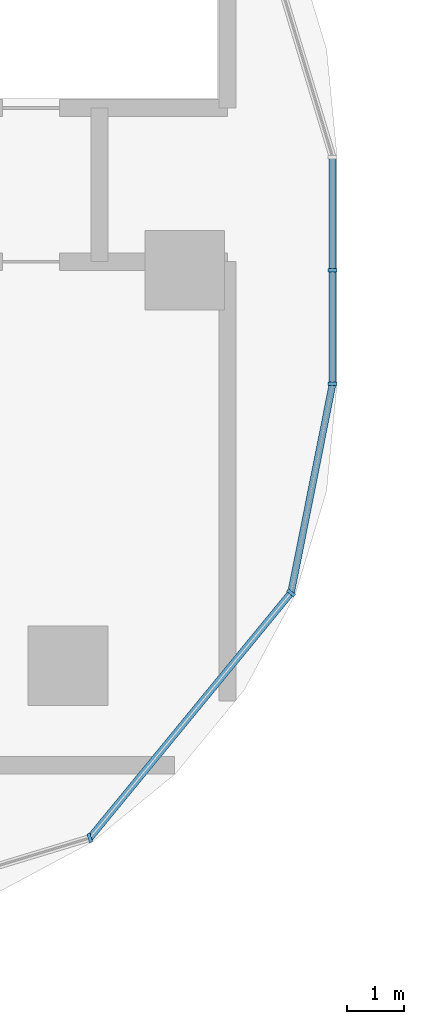
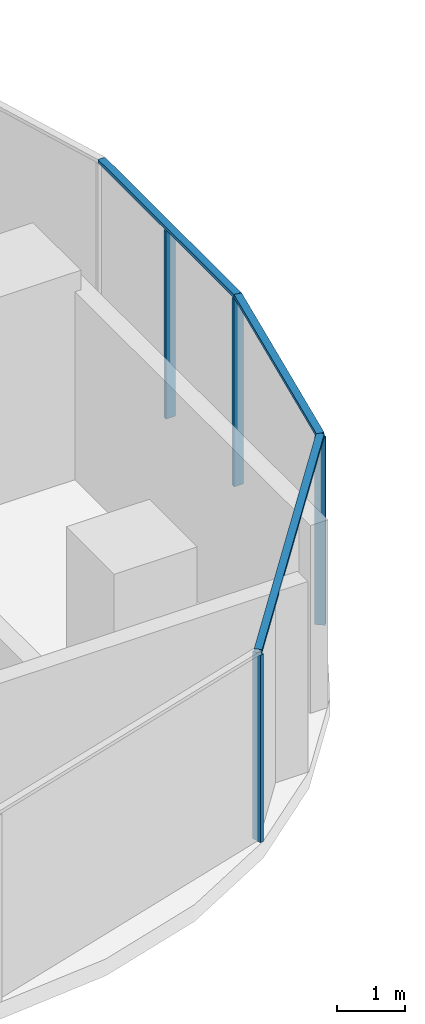
# One storey, part 8 of 34: 7 members, 2 elements without a shape of their own.
"""IFC4 building model written with IfcOpenShell, lengths in metres."""

from ifc_helpers import new_model, si_unit, direction, frame, origin, origin_2d, place, context, subcontext, project, spatial, rectangle, extrude, material, material_profile, profile_set, type_object, element, aggregate, save


model = new_model("IFC4")

# Units and contexts
model_context = context("Model", 3, precision=1e-05, world=origin(), true_north=direction((0.0, 1.0)))
body_context = subcontext(model_context, "Body", "Model", "MODEL_VIEW")
ifc_project = project(units=[si_unit("LENGTHUNIT", "METRE"), si_unit("AREAUNIT", "SQUARE_METRE"), si_unit("VOLUMEUNIT", "CUBIC_METRE"), si_unit("PLANEANGLEUNIT", "RADIAN"), si_unit("MASSUNIT", "GRAM", prefix="KILO")], contexts=[model_context])

# Site, building, storey
site_placement = place(None, origin())
site = spatial("IfcSite", under=ifc_project, at=site_placement, CompositionType="ELEMENT")
building_placement = place(site_placement, origin())
building = spatial("IfcBuilding", under=site, at=building_placement, Name="Ogive Portal Towers", CompositionType="ELEMENT")
storey_placement = place(building_placement, frame((0.0, 0.0, 66.800048828125)))
storey = spatial("IfcBuildingStorey", under=building, at=storey_placement, Name="L15", CompositionType="ELEMENT", Elevation=66.800048828125)

# Curtain wall, members
ifc_material_1 = material(Name="Glass, clear low-iron insulated glazing", Category="glass")
curtain_wall_type = type_object("IfcCurtainWallType", Name="CW FRONT RIBBON 4500", PredefinedType="NOTDEFINED", material=ifc_material_1)
curtain_wall_1_placement = place(storey_placement, origin())
curtain_wall_1 = element("IfcCurtainWall", 1, at=curtain_wall_1_placement, inside=storey, type_object=curtain_wall_type, Name="A:L15:f12:cw0", PredefinedType="NOTDEFINED")
ifc_material_2 = material(Name="Aluminium 6063 anodised", Category="aluminium")
ifc_material_profile_1 = material_profile(ifc_material_2, rectangle(XDim=0.159912109375, YDim=0.06005859375, at=origin_2d()), Name="AL 60x160")
ifc_profile_set_1 = profile_set([ifc_material_profile_1], Name="Aluminium 6063 anodised")
member_type_1 = type_object("IfcMemberType", Name="CW MULLION 60x160", PredefinedType="MULLION", material=ifc_profile_set_1)
member_1_placement = place(storey_placement, frame((97.10009765625, 28.5078125, 0.0), z_axis=(0.0, 0.0, 1.0), x_axis=(-1.0, 0.0, 0.0)))
member_1 = element("IfcMember", 2, at=member_1_placement, type_object=member_type_1, Name="mullion", PredefinedType="MULLION", context=body_context, shape_type="SweptSolid", body=[
    extrude(rectangle(XDim=0.159912109375, YDim=0.06005859375, at=origin_2d()), origin(), (0.0, 0.0, 1.0), 3.33984375),
])
member_2_placement = place(storey_placement, frame((97.10009765625, 30.5, 0.0), z_axis=(0.0, 0.0, 1.0), x_axis=(-1.0, 0.0, 0.0)))
member_2 = element("IfcMember", 3, at=member_2_placement, type_object=member_type_1, Name="mullion", PredefinedType="MULLION", context=body_context, shape_type="SweptSolid", body=[
    extrude(rectangle(XDim=0.159912109375, YDim=0.06005859375, at=origin_2d()), origin(), (0.0, 0.0, 1.0), 3.33984375),
])

curtain_wall_2_placement = place(storey_placement, origin())
curtain_wall_2 = element("IfcCurtainWall", 4, at=curtain_wall_2_placement, inside=storey, type_object=curtain_wall_type, Name="A:L15:f09:cwa", PredefinedType="NOTDEFINED")
member_3_placement = place(storey_placement, frame((92.83154296875, 20.52099609375, 0.0), z_axis=(0.0, 0.0, 1.0), x_axis=(-0.290284677254, 0.956940335732, 0.0)))
member_3 = element("IfcMember", 5, at=member_3_placement, type_object=member_type_1, Name="mullion", PredefinedType="MULLION", context=body_context, shape_type="SweptSolid", body=[
    extrude(rectangle(XDim=0.159912109375, YDim=0.06005859375, at=origin_2d()), origin(), (0.0, 0.0, 1.0), 3.33984375),
])
member_4_placement = place(storey_placement, frame((96.36865234375, 24.830810546875, 0.0), z_axis=(0.0, 0.0, 1.0), x_axis=(-0.773010453363, 0.634393284164, 0.0)))
member_4 = element("IfcMember", 6, at=member_4_placement, type_object=member_type_1, Name="mullion", PredefinedType="MULLION", context=body_context, shape_type="SweptSolid", body=[
    extrude(rectangle(XDim=0.159912109375, YDim=0.06005859375, at=origin_2d()), origin(), (0.0, 0.0, 1.0), 3.33984375),
])

# Member
ifc_material_profile_2 = material_profile(ifc_material_2, rectangle(XDim=0.1201171875, YDim=0.06005859375, at=origin_2d()), Name="AL 120x60")
ifc_profile_set_2 = profile_set([ifc_material_profile_2], Name="Aluminium 6063 anodised")
member_type_2 = type_object("IfcMemberType", Name="CW TRANSOM 60x120", PredefinedType="USERDEFINED", material=ifc_profile_set_2)
member_5_placement = place(storey_placement, frame((97.10009765625, 28.5078125, 3.369873046875), z_axis=(0.0, 1.0, 0.0), x_axis=(-1.0, 0.0, 0.0)))
member_5 = element("IfcMember", 7, at=member_5_placement, type_object=member_type_2, Name="transom", ObjectType="TRANSOM", PredefinedType="USERDEFINED", context=body_context, shape_type="SweptSolid", body=[
    extrude(rectangle(XDim=0.1201171875, YDim=0.06005859375, at=origin_2d()), origin(), (0.0, 0.0, 1.0), 3.980224609375),
])

aggregate(curtain_wall_1, [member_5, member_1, member_2])

member_6_placement = place(storey_placement, frame((92.83154296875, 20.52099609375, 3.369873046875), z_axis=(0.634407866289, 0.772998485892, 0.0), x_axis=(-0.772998485892, 0.634407866289, 0.0)))
member_6 = element("IfcMember", 8, at=member_6_placement, type_object=member_type_2, Name="transom", ObjectType="TRANSOM", PredefinedType="USERDEFINED", context=body_context, shape_type="SweptSolid", body=[
    extrude(rectangle(XDim=0.1201171875, YDim=0.06005859375, at=origin_2d()), origin(), (0.0, 0.0, 1.0), 5.575439453125),
])

member_7_placement = place(storey_placement, frame((96.36865234375, 24.830810546875, 3.369873046875), z_axis=(0.195101649899, 0.980783027079, 0.0), x_axis=(-0.980783027079, 0.195101649899, 0.0)))
member_7 = element("IfcMember", 9, at=member_7_placement, type_object=member_type_2, Name="transom", ObjectType="TRANSOM", PredefinedType="USERDEFINED", context=body_context, shape_type="SweptSolid", body=[
    extrude(rectangle(XDim=0.1201171875, YDim=0.06005859375, at=origin_2d()), origin(), (0.0, 0.0, 1.0), 3.7490234375),
])

aggregate(curtain_wall_2, [member_6, member_7, member_3, member_4])

save(model, "model.ifc")
